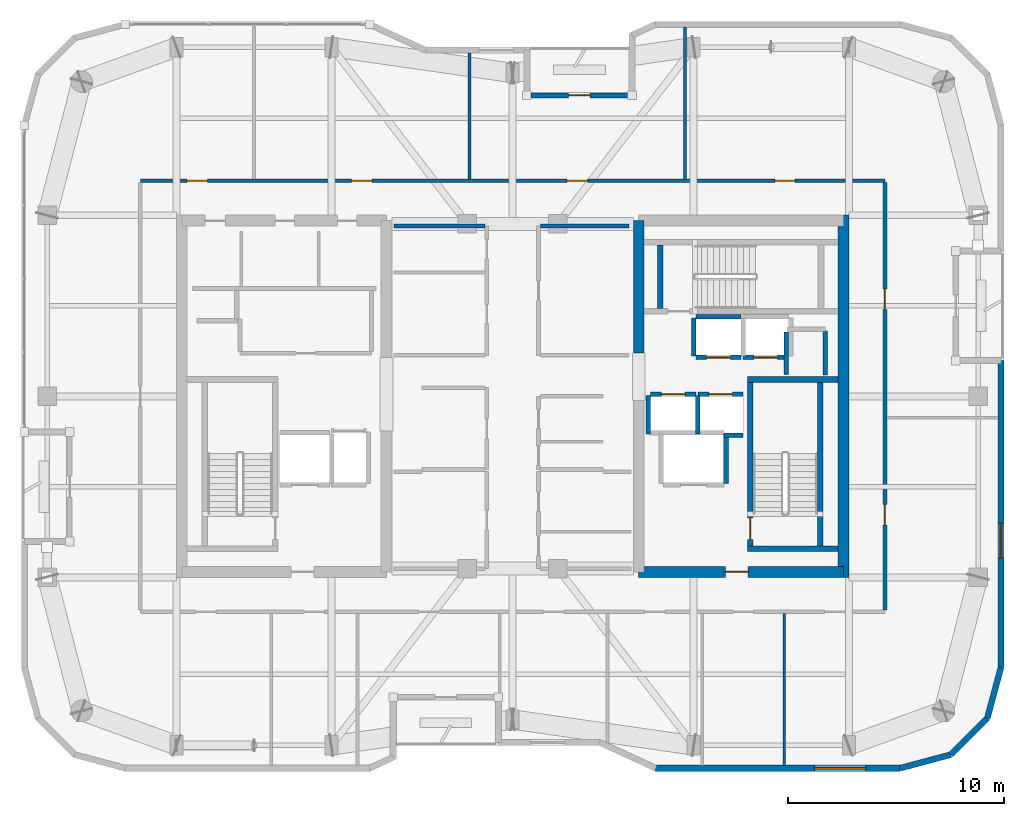
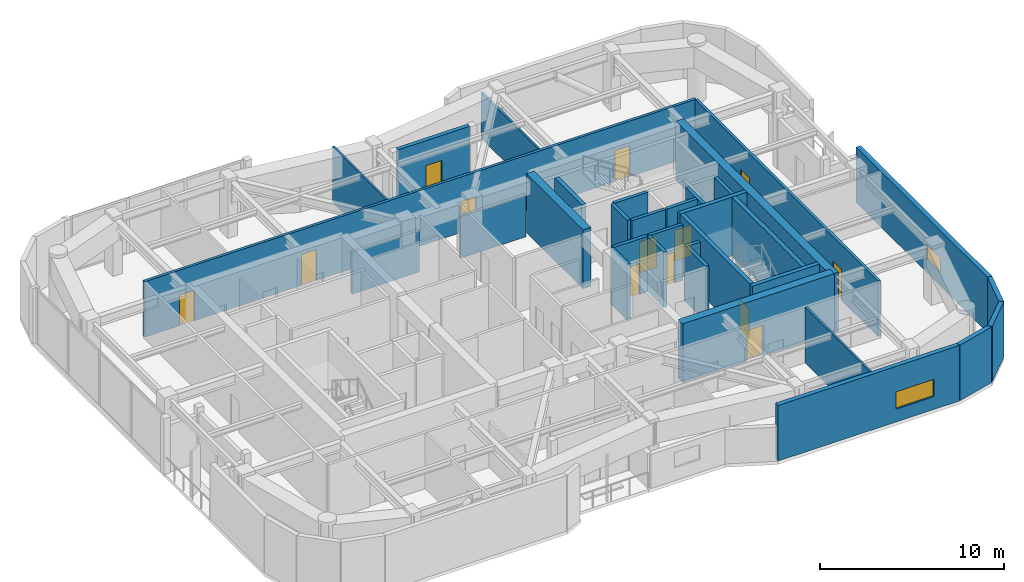
# One storey, part 12 of 15: 33 walls, 13 doors, 2 windows, 15 openings.
"""IFC4 building model written with IfcOpenShell, lengths in metres."""

from ifc_helpers import new_model, si_unit, direction, frame, frame_2d, origin, place, context, subcontext, project, spatial, rectangle, extrude, material, layer, layer_set, type_object, element, fill, save


model = new_model("IFC4")

# Units and contexts
model_context = context("Model", 3, precision=1e-05, world=origin(), true_north=direction((0.0, 1.0)))
body_context = subcontext(model_context, "Body", "Model", "MODEL_VIEW")
ifc_project = project(units=[si_unit("LENGTHUNIT", "METRE"), si_unit("AREAUNIT", "SQUARE_METRE"), si_unit("VOLUMEUNIT", "CUBIC_METRE"), si_unit("PLANEANGLEUNIT", "RADIAN"), si_unit("MASSUNIT", "GRAM", prefix="KILO")], contexts=[model_context])

# Site, building, storey
site_placement = place(None, origin())
site = spatial("IfcSite", under=ifc_project, at=site_placement, CompositionType="ELEMENT")
building_placement = place(site_placement, origin())
building = spatial("IfcBuilding", under=site, at=building_placement, Name="Kiyonajd Concourse Tower", CompositionType="ELEMENT")
storey_placement = place(building_placement, frame((0.0, 0.0, 321.89990234375)))
storey = spatial("IfcBuildingStorey", under=building, at=storey_placement, Name="L81", CompositionType="ELEMENT", Elevation=321.89990234375)

# Walls
ifc_material_1 = material(Name="Concrete C60/75", Category="concrete")
ifc_layer_1 = layer(ifc_material_1, 0.5)
ifc_layer_set_1 = layer_set([ifc_layer_1], Name="Concrete C60/75")
wall_type_1 = type_object("IfcWallType", Name="WL-CORE-500", PredefinedType="SHEAR", material=ifc_layer_set_1)
wall_1_placement = place(storey_placement, frame((53.85009765625, 38.0, 0.0), z_axis=(0.0, 0.0, 1.0), x_axis=(0.0, 1.0, 0.0)))
element("IfcWall", 1, at=wall_1_placement, inside=storey, type_object=wall_type_1, Name="L81 East Core Inner North Shear Wall", PredefinedType="SHEAR", context=body_context, shape_type="SweptSolid", body=[
    extrude(rectangle(XDim=6.14990234375, YDim=0.5, at=frame_2d((3.074951171875, 0.0))), origin(), (0.0, 0.0, 1.0), 3.900146484375),
])
wall_2_placement = place(storey_placement, frame((63.35009765625, 27.60009765625, 0.0), z_axis=(0.0, 0.0, 1.0), x_axis=(0.0, 1.0, 0.0)))
element("IfcWall", 2, at=wall_2_placement, inside=storey, type_object=wall_type_1, Name="L81 East Core Outer Shear Wall", PredefinedType="SHEAR", context=body_context, shape_type="SweptSolid", body=[
    extrude(rectangle(XDim=16.7998046875, YDim=0.5, at=frame_2d((8.39990234375, 0.0))), origin(), (0.0, 0.0, 1.0), 3.900146484375),
])

# Wall, opening, door
wall_3_placement = place(storey_placement, frame((53.85009765625, 27.85009765625, 0.0), z_axis=(0.0, 0.0, 1.0), x_axis=(1.0, 0.0, 0.0)))
wall_3 = element("IfcWall", 3, at=wall_3_placement, inside=storey, type_object=wall_type_1, Name="L81 East Core South Shear Wall", PredefinedType="SHEAR", context=body_context, shape_type="SweptSolid", body=[
    extrude(rectangle(XDim=9.5, YDim=0.5, at=frame_2d((4.75, 0.0))), origin(), (0.0, 0.0, 1.0), 3.900146484375),
])
opening_1_placement = place(wall_3_placement, frame((4.02490234375, 0.0, 0.0)))
opening_1 = element("IfcOpeningElement", 4, at=opening_1_placement, cuts=wall_3, Name="Opening DF5", PredefinedType="OPENING", context=body_context, shape_type="SweptSolid", body=[
    extrude(rectangle(XDim=1.050048828125, YDim=2.0400390625, at=frame_2d((0.52490234375, 1.02001953125))), frame((0.0, 0.260009765625, 0.0), z_axis=(0.0, -1.0, 0.0), x_axis=(1.0, 0.0, 0.0)), (0.0, 0.0, 1.0), 0.52001953125),
])
ifc_material_2 = material(Name="Brushed Stainless Steel Cab Assembly", Category="steel")
door_type_1 = type_object("IfcDoorType", Name="DR-FD45-1050", OperationType="NOTDEFINED", PredefinedType="DOOR", material=ifc_material_2)
door_1_placement = place(opening_1_placement, origin())
door_1 = element("IfcDoor", 5, at=door_1_placement, inside=storey, type_object=door_type_1, Name="L81 Firefighting Lift Lobby E Smoke Door", OperationType="SINGLE_SWING_RIGHT", OverallHeight=2.0400390625, OverallWidth=1.050048828125, PredefinedType="DOOR", context=body_context, shape_type="SweptSolid", body=[
    extrude(rectangle(XDim=1.050048828125, YDim=2.0400390625, at=frame_2d((0.52490234375, 1.02001953125))), frame((0.0, 0.02490234375, 0.0), z_axis=(0.0, -1.0, 0.0), x_axis=(1.0, 0.0, 0.0)), (0.0, 0.0, 1.0), 0.050048828125),
])
fill(opening_1, door_1)

# Wall, opening, window
ifc_material_3 = material(Name="Precast concrete C50/60", Category="concrete")
ifc_layer_2 = layer(ifc_material_3, 0.280029296875)
ifc_layer_set_2 = layer_set([ifc_layer_2], Name="Precast concrete C50/60")
wall_type_2 = type_object("IfcWallType", Name="WL-EXT-280", PredefinedType="SOLIDWALL", material=ifc_layer_set_2)
wall_4_placement = place(storey_placement, frame((70.659912109375, 37.659912109375, 0.0), z_axis=(0.0, 0.0, 1.0), x_axis=(0.0, -1.0, 0.0)))
wall_4 = element("IfcWall", 6, at=wall_4_placement, inside=storey, type_object=wall_type_2, Name="L81 Exterior Concrete Frame Wall 24", PredefinedType="SOLIDWALL", context=body_context, shape_type="SweptSolid", body=[
    extrude(rectangle(XDim=14.241455078125, YDim=0.280029296875, at=frame_2d((7.12060546875, 0.0))), origin(), (0.0, 0.0, 1.0), 3.68017578125),
])
opening_2_placement = place(wall_4_placement, frame((7.555908203125, 0.0, 0.85009765625)))
opening_2 = element("IfcOpeningElement", 7, at=opening_2_placement, cuts=wall_4, Name="Opening WN6", PredefinedType="OPENING", context=body_context, shape_type="SweptSolid", body=[
    extrude(rectangle(XDim=1.60009765625, YDim=1.0, at=frame_2d((0.800048828125, 0.5))), frame((0.0, 0.14990234375, 0.0), z_axis=(0.0, -1.0, 0.0), x_axis=(1.0, 0.0, 0.0)), (0.0, 0.0, 1.0), 0.300048828125),
])
ifc_material_4 = material(Name="Double Low-E Insulated Glass", Category="glass")
window_type_1 = type_object("IfcWindowType", Name="WN-VIS-1600x1000", PartitioningType="SINGLE_PANEL", PredefinedType="WINDOW", material=ifc_material_4)
window_1_placement = place(opening_2_placement, origin())
window_1 = element("IfcWindow", 8, at=window_1_placement, inside=storey, type_object=window_type_1, Name="L81 Modular Facade Vision Window 24", OverallHeight=1.0, OverallWidth=1.60009765625, PartitioningType="SINGLE_PANEL", PredefinedType="WINDOW", context=body_context, shape_type="SweptSolid", body=[
    extrude(rectangle(XDim=1.60009765625, YDim=1.0, at=frame_2d((0.800048828125, 0.5))), frame((0.0, 0.030029296875, 0.0), z_axis=(0.0, -1.0, 0.0), x_axis=(1.0, 0.0, 0.0)), (0.0, 0.0, 1.0), 0.06005859375),
])
fill(opening_2, window_1)

# Walls
wall_5_placement = place(storey_placement, frame((70.659912109375, 23.41845703125, 0.0), z_axis=(0.0, 0.0, 1.0), x_axis=(-0.258751159445, -0.965944013639, 0.0)))
element("IfcWall", 9, at=wall_5_placement, inside=storey, type_object=wall_type_2, Name="L81 Exterior Concrete Frame Wall 25", PredefinedType="SOLIDWALL", context=body_context, shape_type="SweptSolid", body=[
    extrude(rectangle(XDim=2.4287109375, YDim=0.280029296875, at=frame_2d((1.21435546875, 0.0))), origin(), (0.0, 0.0, 1.0), 3.68017578125),
])
wall_6_placement = place(storey_placement, frame((70.031494140625, 21.072509765625, 0.0), z_axis=(0.0, 0.0, 1.0), x_axis=(-0.707106781187, -0.707106781187, 0.0)))
element("IfcWall", 10, at=wall_6_placement, inside=storey, type_object=wall_type_2, Name="L81 Exterior Concrete Frame Wall 26", PredefinedType="SOLIDWALL", context=body_context, shape_type="SweptSolid", body=[
    extrude(rectangle(XDim=2.409912109375, YDim=0.280029296875, at=frame_2d((1.205078125, 0.0))), origin(), (0.0, 0.0, 1.0), 3.68017578125),
])
wall_7_placement = place(storey_placement, frame((68.327392578125, 19.368408203125, 0.0), z_axis=(0.0, 0.0, 1.0), x_axis=(-0.965937282298, -0.25877628691, 0.0)))
element("IfcWall", 11, at=wall_7_placement, inside=storey, type_object=wall_type_2, Name="L81 Exterior Concrete Frame Wall 27", PredefinedType="SOLIDWALL", context=body_context, shape_type="SweptSolid", body=[
    extrude(rectangle(XDim=2.428466796875, YDim=0.280029296875, at=frame_2d((1.21435546875, 0.0))), origin(), (0.0, 0.0, 1.0), 3.68017578125),
])

# Wall, opening, window
wall_8_placement = place(storey_placement, frame((65.981689453125, 18.739990234375, 0.0), z_axis=(0.0, 0.0, 1.0), x_axis=(-1.0, 0.0, 0.0)))
wall_8 = element("IfcWall", 12, at=wall_8_placement, inside=storey, type_object=wall_type_2, Name="L81 Exterior Concrete Frame Wall 28", PredefinedType="SOLIDWALL", context=body_context, shape_type="SweptSolid", body=[
    extrude(rectangle(XDim=11.35107421875, YDim=0.280029296875, at=frame_2d((5.675537109375, 0.0))), origin(), (0.0, 0.0, 1.0), 3.68017578125),
])
opening_3_placement = place(wall_8_placement, frame((1.5859375, 0.0, 0.85009765625)))
opening_3 = element("IfcOpeningElement", 13, at=opening_3_placement, cuts=wall_8, Name="Opening WN4", PredefinedType="OPENING", context=body_context, shape_type="SweptSolid", body=[
    extrude(rectangle(XDim=2.39990234375, YDim=1.14990234375, at=frame_2d((1.199951171875, 0.574951171875))), frame((0.0, 0.14990234375, 0.0), z_axis=(0.0, -1.0, 0.0), x_axis=(1.0, 0.0, 0.0)), (0.0, 0.0, 1.0), 0.300048828125),
])
window_type_2 = type_object("IfcWindowType", Name="WN-VIS-2400x1150", PartitioningType="SINGLE_PANEL", PredefinedType="WINDOW", material=ifc_material_4)
window_2_placement = place(opening_3_placement, origin())
window_2 = element("IfcWindow", 14, at=window_2_placement, inside=storey, type_object=window_type_2, Name="L81 Modular Facade Vision Window 28", OverallHeight=1.14990234375, OverallWidth=2.39990234375, PartitioningType="SINGLE_PANEL", PredefinedType="WINDOW", context=body_context, shape_type="SweptSolid", body=[
    extrude(rectangle(XDim=2.39990234375, YDim=1.14990234375, at=frame_2d((1.199951171875, 0.574951171875))), frame((0.0, 0.030029296875, 0.0), z_axis=(0.0, -1.0, 0.0), x_axis=(1.0, 0.0, 0.0)), (0.0, 0.0, 1.0), 0.06005859375),
])
fill(opening_3, window_2)

# Wall, opening, door
ifc_layer_3 = layer(ifc_material_3, 0.239990234375)
ifc_layer_set_3 = layer_set([ifc_layer_3], Name="Precast concrete C50/60")
wall_type_3 = type_object("IfcWallType", Name="WL-LOG-240", PredefinedType="SOLIDWALL", material=ifc_layer_set_3)
wall_9_placement = place(storey_placement, frame((48.85498046875, 49.9599609375, 0.0), z_axis=(0.0, 0.0, 1.0), x_axis=(1.0, 0.0, 0.0)))
wall_9 = element("IfcWall", 15, at=wall_9_placement, inside=storey, type_object=wall_type_3, Name="L81 Recessed Loggia Thermal Wall LOG-N", PredefinedType="SOLIDWALL", context=body_context, shape_type="SweptSolid", body=[
    extrude(rectangle(XDim=4.489990234375, YDim=0.239990234375, at=frame_2d((2.2451171875, 0.0))), origin(), (0.0, 0.0, 1.0), 3.68017578125),
])
opening_4_placement = place(wall_9_placement, frame((1.7451171875, 0.0, 0.0)))
opening_4 = element("IfcOpeningElement", 16, at=opening_4_placement, cuts=wall_9, Name="Opening DL1", PredefinedType="OPENING", context=body_context, shape_type="SweptSolid", body=[
    extrude(rectangle(XDim=1.0, YDim=2.02001953125, at=frame_2d((0.5, 1.010009765625))), frame((0.0, 0.1298828125, 0.0), z_axis=(0.0, -1.0, 0.0), x_axis=(1.0, 0.0, 0.0)), (0.0, 0.0, 1.0), 0.260009765625),
])
ifc_material_5 = material(Name="Thermally Broken Anodised Aluminium", Category="aluminium")
door_type_2 = type_object("IfcDoorType", Name="DR-LOG-1000", OperationType="NOTDEFINED", PredefinedType="DOOR", material=ifc_material_5)
door_2_placement = place(opening_4_placement, origin())
door_2 = element("IfcDoor", 17, at=door_2_placement, inside=storey, type_object=door_type_2, Name="L81 Engawa Loggia Access Door LOG-N", OperationType="SINGLE_SWING_RIGHT", OverallHeight=2.02001953125, OverallWidth=1.0, PredefinedType="DOOR", context=body_context, shape_type="SweptSolid", body=[
    extrude(rectangle(XDim=1.0, YDim=2.02001953125, at=frame_2d((0.5, 1.010009765625))), frame((0.0, 0.02490234375, 0.0), z_axis=(0.0, -1.0, 0.0), x_axis=(1.0, 0.0, 0.0)), (0.0, 0.0, 1.0), 0.050048828125),
])
fill(opening_4, door_2)

# Walls
ifc_material_6 = material(Name="Gypsum Board on Cold-Formed Steel Stud", Category="steel")
ifc_layer_4 = layer(ifc_material_6, 0.125)
ifc_layer_set_4 = layer_set([ifc_layer_4], Name="Gypsum Board on Cold-Formed Steel Stud")
wall_type_4 = type_object("IfcWallType", Name="WL-PART-125", PredefinedType="PARTITIONING", material=ifc_layer_set_4)
wall_10_placement = place(storey_placement, frame((60.60009765625, 18.875, 0.0), z_axis=(0.0, 0.0, 1.0), x_axis=(0.0, 1.0, 0.0)))
element("IfcWall", 18, at=wall_10_placement, inside=storey, type_object=wall_type_4, Name="L81 Interior Partition Wall", PredefinedType="PARTITIONING", context=body_context, shape_type="SweptSolid", body=[
    extrude(rectangle(XDim=7.0380859375, YDim=0.125, at=frame_2d((3.51904296875, 0.0))), origin(), (0.0, 0.0, 1.0), 3.68017578125),
])
wall_11_placement = place(storey_placement, frame((46.0, 46.0869140625, 0.0), z_axis=(0.0, 0.0, 1.0), x_axis=(0.0, 1.0, 0.0)))
element("IfcWall", 19, at=wall_11_placement, inside=storey, type_object=wall_type_4, Name="L81 Interior Partition Wall", PredefinedType="PARTITIONING", context=body_context, shape_type="SweptSolid", body=[
    extrude(rectangle(XDim=5.838134765625, YDim=0.125, at=frame_2d((2.9189453125, 0.0))), origin(), (0.0, 0.0, 1.0), 3.68017578125),
])
wall_12_placement = place(storey_placement, frame((56.0, 46.0869140625, 0.0), z_axis=(0.0, 0.0, 1.0), x_axis=(0.0, 1.0, 0.0)))
element("IfcWall", 20, at=wall_12_placement, inside=storey, type_object=wall_type_4, Name="L81 Interior Partition Wall", PredefinedType="PARTITIONING", context=body_context, shape_type="SweptSolid", body=[
    extrude(rectangle(XDim=7.0380859375, YDim=0.125, at=frame_2d((3.51904296875, 0.0))), origin(), (0.0, 0.0, 1.0), 3.043212890625),
])
ifc_layer_5 = layer(ifc_material_6, 0.2099609375)
ifc_layer_set_5 = layer_set([ifc_layer_5], Name="Gypsum Board on Cold-Formed Steel Stud")
wall_type_5 = type_object("IfcWallType", Name="WL-SHAFT-210", PredefinedType="PARTITIONING", material=ifc_layer_set_5)
wall_13_placement = place(storey_placement, frame((60.699951171875, 37.02001953125, 0.0), z_axis=(0.0, 0.0, 1.0), x_axis=(0.0, 1.0, 0.0)))
element("IfcWall", 21, at=wall_13_placement, inside=storey, type_object=wall_type_5, Name="L81 Shaft Enclosure Wall", PredefinedType="PARTITIONING", context=body_context, shape_type="SweptSolid", body=[
    extrude(rectangle(XDim=1.9599609375, YDim=0.2099609375, at=frame_2d((0.97998046875, 0.0))), origin(), (0.0, 0.0, 1.0), 3.68017578125),
])
wall_14_placement = place(storey_placement, frame((62.5, 36.97998046875, 0.0), z_axis=(0.0, 0.0, 1.0), x_axis=(0.0, 1.0, 0.0)))
element("IfcWall", 22, at=wall_14_placement, inside=storey, type_object=wall_type_5, Name="L81 Shaft Enclosure Wall", PredefinedType="PARTITIONING", context=body_context, shape_type="SweptSolid", body=[
    extrude(rectangle(XDim=2.0400390625, YDim=0.2099609375, at=frame_2d((1.02001953125, 0.0))), origin(), (0.0, 0.0, 1.0), 3.68017578125),
])
wall_15_placement = place(storey_placement, frame((57.89990234375, 31.9599609375, 0.0), z_axis=(0.0, 0.0, 1.0), x_axis=(0.0, 1.0, 0.0)))
element("IfcWall", 23, at=wall_15_placement, inside=storey, type_object=wall_type_5, Name="L81 Shaft Enclosure Wall", PredefinedType="PARTITIONING", context=body_context, shape_type="SweptSolid", body=[
    extrude(rectangle(XDim=2.280029296875, YDim=0.2099609375, at=frame_2d((1.14013671875, 0.0))), origin(), (0.0, 0.0, 1.0), 3.68017578125),
])

# Wall, opening, door
wall_16_placement = place(storey_placement, frame((54.39990234375, 36.10009765625, 0.0), z_axis=(0.0, 0.0, 1.0), x_axis=(1.0, 0.0, 0.0)))
wall_16 = element("IfcWall", 24, at=wall_16_placement, inside=storey, type_object=wall_type_5, Name="L81 Shaft Enclosure Wall", PredefinedType="PARTITIONING", context=body_context, shape_type="SweptSolid", body=[
    extrude(rectangle(XDim=2.10009765625, YDim=0.2099609375, at=frame_2d((1.050048828125, 0.0))), origin(), (0.0, 0.0, 1.0), 3.68017578125),
])
opening_5_placement = place(wall_16_placement, frame((0.5, 0.0, 0.0)))
opening_5 = element("IfcOpeningElement", 25, at=opening_5_placement, cuts=wall_16, Name="Opening LD1", PredefinedType="OPENING", context=body_context, shape_type="SweptSolid", body=[
    extrude(rectangle(XDim=1.10009765625, YDim=2.0400390625, at=frame_2d((0.550048828125, 1.02001953125))), frame((0.0, 0.114990234375, 0.0), z_axis=(0.0, -1.0, 0.0), x_axis=(1.0, 0.0, 0.0)), (0.0, 0.0, 1.0), 0.22998046875),
])
door_type_3 = type_object("IfcDoorType", Name="DR-LD-1100", OperationType="DOUBLE_DOOR_SLIDING", PredefinedType="DOOR", material=ifc_material_2)
door_3_placement = place(opening_5_placement, origin())
door_3 = element("IfcDoor", 26, at=door_3_placement, inside=storey, type_object=door_type_3, Name="L81 Lift PL-H1 Sliding Landing Door", OperationType="DOUBLE_DOOR_SLIDING", OverallHeight=2.0400390625, OverallWidth=1.10009765625, PredefinedType="DOOR", context=body_context, shape_type="SweptSolid", body=[
    extrude(rectangle(XDim=1.10009765625, YDim=2.0400390625, at=frame_2d((0.550048828125, 1.02001953125))), frame((0.0, 0.02490234375, 0.0), z_axis=(0.0, -1.0, 0.0), x_axis=(1.0, 0.0, 0.0)), (0.0, 0.0, 1.0), 0.050048828125),
])
fill(opening_5, door_3)

# Walls
for number, where, z_axis, x_axis, name in (
    (27, (54.300048828125, 34.260009765625, 0.0), (0.0, 0.0, 1.0), (0.0, 1.0, 0.0), "L81 Shaft Enclosure Wall"),
    (28, (56.60009765625, 34.260009765625, 0.0), (0.0, 0.0, 1.0), (0.0, 1.0, 0.0), "L81 Shaft Enclosure Wall"),
):
    element("IfcWall", number, at=place(storey_placement, frame(where, z_axis=z_axis, x_axis=x_axis)), inside=storey, type_object=wall_type_5, Name=name, PredefinedType="PARTITIONING", context=body_context, shape_type="SweptSolid", body=[
        extrude(rectangle(XDim=1.780029296875, YDim=0.2099609375, at=frame_2d((0.89013671875, 0.0))), origin(), (0.0, 0.0, 1.0), 3.68017578125),
    ])

# Wall, opening, door
wall_17_placement = place(storey_placement, frame((56.60009765625, 36.10009765625, 0.0), z_axis=(0.0, 0.0, 1.0), x_axis=(1.0, 0.0, 0.0)))
wall_17 = element("IfcWall", 29, at=wall_17_placement, inside=storey, type_object=wall_type_5, Name="L81 Shaft Enclosure Wall", PredefinedType="PARTITIONING", context=body_context, shape_type="SweptSolid", body=[
    extrude(rectangle(XDim=2.099853515625, YDim=0.2099609375, at=frame_2d((1.0498046875, 0.0))), origin(), (0.0, 0.0, 1.0), 3.68017578125),
])
opening_6_placement = place(wall_17_placement, frame((0.5, 0.0, 0.0)))
opening_6 = element("IfcOpeningElement", 30, at=opening_6_placement, cuts=wall_17, Name="Opening LD1", PredefinedType="OPENING", context=body_context, shape_type="SweptSolid", body=[
    extrude(rectangle(XDim=1.10009765625, YDim=2.0400390625, at=frame_2d((0.550048828125, 1.02001953125))), frame((0.0, 0.114990234375, 0.0), z_axis=(0.0, -1.0, 0.0), x_axis=(1.0, 0.0, 0.0)), (0.0, 0.0, 1.0), 0.22998046875),
])
door_4_placement = place(opening_6_placement, origin())
door_4 = element("IfcDoor", 31, at=door_4_placement, inside=storey, type_object=door_type_3, Name="L81 Lift PL-H2 Sliding Landing Door", OperationType="DOUBLE_DOOR_SLIDING", OverallHeight=2.0400390625, OverallWidth=1.10009765625, PredefinedType="DOOR", context=body_context, shape_type="SweptSolid", body=[
    extrude(rectangle(XDim=1.10009765625, YDim=2.0400390625, at=frame_2d((0.550048828125, 1.02001953125))), frame((0.0, 0.02490234375, 0.0), z_axis=(0.0, -1.0, 0.0), x_axis=(1.0, 0.0, 0.0)), (0.0, 0.0, 1.0), 0.050048828125),
])
fill(opening_6, door_4)

# Wall
wall_18_placement = place(storey_placement, frame((57.800048828125, 34.199951171875, 0.0), z_axis=(0.0, 0.0, 1.0), x_axis=(1.0, 0.0, 0.0)))
element("IfcWall", 32, at=wall_18_placement, inside=storey, type_object=wall_type_5, Name="L81 Shaft Enclosure Wall", PredefinedType="PARTITIONING", context=body_context, shape_type="SweptSolid", body=[
    extrude(rectangle(XDim=0.89990234375, YDim=0.2099609375, at=frame_2d((0.449951171875, 0.0))), origin(), (0.0, 0.0, 1.0), 3.68017578125),
])

# Wall, opening, door
wall_19_placement = place(storey_placement, frame((56.5, 37.800048828125, 0.0), z_axis=(0.0, 0.0, 1.0), x_axis=(1.0, 0.0, 0.0)))
wall_19 = element("IfcWall", 33, at=wall_19_placement, inside=storey, type_object=wall_type_5, Name="L81 Shaft Enclosure Wall", PredefinedType="PARTITIONING", context=body_context, shape_type="SweptSolid", body=[
    extrude(rectangle(XDim=2.10009765625, YDim=0.2099609375, at=frame_2d((1.050048828125, 0.0))), origin(), (0.0, 0.0, 1.0), 3.68017578125),
])
opening_7_placement = place(wall_19_placement, frame((0.5, 0.0, 0.0)))
opening_7 = element("IfcOpeningElement", 34, at=opening_7_placement, cuts=wall_19, Name="Opening LD1", PredefinedType="OPENING", context=body_context, shape_type="SweptSolid", body=[
    extrude(rectangle(XDim=1.10009765625, YDim=2.0400390625, at=frame_2d((0.550048828125, 1.02001953125))), frame((0.0, 0.114990234375, 0.0), z_axis=(0.0, -1.0, 0.0), x_axis=(1.0, 0.0, 0.0)), (0.0, 0.0, 1.0), 0.22998046875),
])
door_5_placement = place(opening_7_placement, origin())
door_5 = element("IfcDoor", 35, at=door_5_placement, inside=storey, type_object=door_type_3, Name="L81 Lift PL-H3 Sliding Landing Door", OperationType="DOUBLE_DOOR_SLIDING", OverallHeight=2.0400390625, OverallWidth=1.10009765625, PredefinedType="DOOR", context=body_context, shape_type="SweptSolid", body=[
    extrude(rectangle(XDim=1.10009765625, YDim=2.0400390625, at=frame_2d((0.550048828125, 1.02001953125))), frame((0.0, 0.02490234375, 0.0), z_axis=(0.0, -1.0, 0.0), x_axis=(1.0, 0.0, 0.0)), (0.0, 0.0, 1.0), 0.050048828125),
])
fill(opening_7, door_5)

# Walls
wall_20_placement = place(storey_placement, frame((56.5, 39.699951171875, 0.0), z_axis=(0.0, 0.0, 1.0), x_axis=(1.0, 0.0, 0.0)))
element("IfcWall", 36, at=wall_20_placement, inside=storey, type_object=wall_type_5, Name="L81 Shaft Enclosure Wall", PredefinedType="PARTITIONING", context=body_context, shape_type="SweptSolid", body=[
    extrude(rectangle(XDim=2.10009765625, YDim=0.2099609375, at=frame_2d((1.050048828125, 0.0))), origin(), (0.0, 0.0, 1.0), 3.68017578125),
])
wall_21_placement = place(storey_placement, frame((56.39990234375, 37.860107421875, 0.0), z_axis=(0.0, 0.0, 1.0), x_axis=(0.0, 1.0, 0.0)))
element("IfcWall", 37, at=wall_21_placement, inside=storey, type_object=wall_type_5, Name="L81 Shaft Enclosure Wall", PredefinedType="PARTITIONING", context=body_context, shape_type="SweptSolid", body=[
    extrude(rectangle(XDim=1.77978515625, YDim=0.2099609375, at=frame_2d((0.889892578125, 0.0))), origin(), (0.0, 0.0, 1.0), 3.68017578125),
])

# Wall, opening, door
wall_22_placement = place(storey_placement, frame((58.699951171875, 37.800048828125, 0.0), z_axis=(0.0, 0.0, 1.0), x_axis=(1.0, 0.0, 0.0)))
wall_22 = element("IfcWall", 38, at=wall_22_placement, inside=storey, type_object=wall_type_5, Name="L81 Shaft Enclosure Wall", PredefinedType="PARTITIONING", context=body_context, shape_type="SweptSolid", body=[
    extrude(rectangle(XDim=2.10009765625, YDim=0.2099609375, at=frame_2d((1.050048828125, 0.0))), origin(), (0.0, 0.0, 1.0), 3.68017578125),
])
opening_8_placement = place(wall_22_placement, frame((0.5, 0.0, 0.0)))
opening_8 = element("IfcOpeningElement", 39, at=opening_8_placement, cuts=wall_22, Name="Opening LD1", PredefinedType="OPENING", context=body_context, shape_type="SweptSolid", body=[
    extrude(rectangle(XDim=1.10009765625, YDim=2.0400390625, at=frame_2d((0.550048828125, 1.02001953125))), frame((0.0, 0.114990234375, 0.0), z_axis=(0.0, -1.0, 0.0), x_axis=(1.0, 0.0, 0.0)), (0.0, 0.0, 1.0), 0.22998046875),
])
door_6_placement = place(opening_8_placement, origin())
door_6 = element("IfcDoor", 40, at=door_6_placement, inside=storey, type_object=door_type_3, Name="L81 Lift PL-H4 Sliding Landing Door", OperationType="DOUBLE_DOOR_SLIDING", OverallHeight=2.0400390625, OverallWidth=1.10009765625, PredefinedType="DOOR", context=body_context, shape_type="SweptSolid", body=[
    extrude(rectangle(XDim=1.10009765625, YDim=2.0400390625, at=frame_2d((0.550048828125, 1.02001953125))), frame((0.0, 0.02490234375, 0.0), z_axis=(0.0, -1.0, 0.0), x_axis=(1.0, 0.0, 0.0)), (0.0, 0.0, 1.0), 0.050048828125),
])
fill(opening_8, door_6)

# Walls
ifc_layer_6 = layer(ifc_material_6, 0.169921875)
ifc_layer_set_6 = layer_set([ifc_layer_6], Name="Gypsum Board on Cold-Formed Steel Stud")
wall_type_6 = type_object("IfcWallType", Name="WL-SMK-170", PredefinedType="PARTITIONING", material=ifc_layer_set_6)
wall_23_placement = place(storey_placement, frame((42.5, 43.89990234375, 0.0), z_axis=(0.0, 0.0, 1.0), x_axis=(1.0, 0.0, 0.0)))
element("IfcWall", 41, at=wall_23_placement, inside=storey, type_object=wall_type_6, Name="L81 Interior Partition Wall", PredefinedType="PARTITIONING", context=body_context, shape_type="SweptSolid", body=[
    extrude(rectangle(XDim=4.212890625, YDim=0.169921875, at=frame_2d((2.1064453125, 0.0))), origin(), (0.0, 0.0, 1.0), 2.76513671875),
])
wall_24_placement = place(storey_placement, frame((49.287109375, 43.89990234375, 0.0), z_axis=(0.0, 0.0, 1.0), x_axis=(1.0, 0.0, 0.0)))
element("IfcWall", 42, at=wall_24_placement, inside=storey, type_object=wall_type_6, Name="L81 Interior Partition Wall", PredefinedType="PARTITIONING", context=body_context, shape_type="SweptSolid", body=[
    extrude(rectangle(XDim=4.11279296875, YDim=0.169921875, at=frame_2d((2.056396484375, 0.0))), origin(), (0.0, 0.0, 1.0), 2.76513671875),
])

# Wall, openings, doors
wall_25_placement = place(storey_placement, frame((30.72509765625, 46.0, 0.0), z_axis=(0.0, 0.0, 1.0), x_axis=(1.0, 0.0, 0.0)))
wall_25 = element("IfcWall", 43, at=wall_25_placement, inside=storey, type_object=wall_type_6, Name="L81 Interior Partition Wall", PredefinedType="PARTITIONING", context=body_context, shape_type="SweptSolid", body=[
    extrude(rectangle(XDim=34.5498046875, YDim=0.169921875, at=frame_2d((17.27490234375, 0.0))), origin(), (0.0, 0.0, 1.0), 3.68017578125),
])
opening_9_placement = place(wall_25_placement, frame((2.162109375, 0.0, 0.0)))
opening_9 = element("IfcOpeningElement", 44, at=opening_9_placement, cuts=wall_25, Name="Opening DI1", PredefinedType="OPENING", context=body_context, shape_type="SweptSolid", body=[
    extrude(rectangle(XDim=0.949951171875, YDim=2.0400390625, at=frame_2d((0.47509765625, 1.02001953125))), frame((0.0, 0.094970703125, 0.0), z_axis=(0.0, -1.0, 0.0), x_axis=(1.0, 0.0, 0.0)), (0.0, 0.0, 1.0), 0.18994140625),
])
opening_10_placement = place(wall_25_placement, frame((9.800048828125, 0.0, 0.0)))
opening_10 = element("IfcOpeningElement", 45, at=opening_10_placement, cuts=wall_25, Name="Opening DI1", PredefinedType="OPENING", context=body_context, shape_type="SweptSolid", body=[
    extrude(rectangle(XDim=0.949951171875, YDim=2.0400390625, at=frame_2d((0.47509765625, 1.02001953125))), frame((0.0, 0.094970703125, 0.0), z_axis=(0.0, -1.0, 0.0), x_axis=(1.0, 0.0, 0.0)), (0.0, 0.0, 1.0), 0.18994140625),
])
opening_11_placement = place(wall_25_placement, frame((19.800048828125, 0.0, 0.0)))
opening_11 = element("IfcOpeningElement", 46, at=opening_11_placement, cuts=wall_25, Name="Opening DI1", PredefinedType="OPENING", context=body_context, shape_type="SweptSolid", body=[
    extrude(rectangle(XDim=0.949951171875, YDim=2.0400390625, at=frame_2d((0.47509765625, 1.02001953125))), frame((0.0, 0.094970703125, 0.0), z_axis=(0.0, -1.0, 0.0), x_axis=(1.0, 0.0, 0.0)), (0.0, 0.0, 1.0), 0.18994140625),
])
opening_12_placement = place(wall_25_placement, frame((29.43798828125, 0.0, 0.0)))
opening_12 = element("IfcOpeningElement", 47, at=opening_12_placement, cuts=wall_25, Name="Opening DI1", PredefinedType="OPENING", context=body_context, shape_type="SweptSolid", body=[
    extrude(rectangle(XDim=0.949951171875, YDim=2.0400390625, at=frame_2d((0.47509765625, 1.02001953125))), frame((0.0, 0.094970703125, 0.0), z_axis=(0.0, -1.0, 0.0), x_axis=(1.0, 0.0, 0.0)), (0.0, 0.0, 1.0), 0.18994140625),
])
ifc_material_7 = material(Name="Natural Oak Acoustic Timber Veneer", Category="wood")
door_type_4 = type_object("IfcDoorType", Name="DR-INT-950", OperationType="NOTDEFINED", PredefinedType="DOOR", material=ifc_material_7)
door_7_placement = place(opening_9_placement, origin())
door_7 = element("IfcDoor", 48, at=door_7_placement, inside=storey, type_object=door_type_4, Name="L81 Interior Door", OperationType="SINGLE_SWING_RIGHT", OverallHeight=2.0400390625, OverallWidth=0.949951171875, PredefinedType="DOOR", context=body_context, shape_type="SweptSolid", body=[
    extrude(rectangle(XDim=0.949951171875, YDim=2.0400390625, at=frame_2d((0.47509765625, 1.02001953125))), frame((0.0, 0.02490234375, 0.0), z_axis=(0.0, -1.0, 0.0), x_axis=(1.0, 0.0, 0.0)), (0.0, 0.0, 1.0), 0.050048828125),
])
fill(opening_9, door_7)
door_8_placement = place(opening_10_placement, origin())
door_8 = element("IfcDoor", 49, at=door_8_placement, inside=storey, type_object=door_type_4, Name="L81 Interior Door", OperationType="SINGLE_SWING_LEFT", OverallHeight=2.0400390625, OverallWidth=0.949951171875, PredefinedType="DOOR", context=body_context, shape_type="SweptSolid", body=[
    extrude(rectangle(XDim=0.949951171875, YDim=2.0400390625, at=frame_2d((0.47509765625, 1.02001953125))), frame((0.0, 0.02490234375, 0.0), z_axis=(0.0, -1.0, 0.0), x_axis=(1.0, 0.0, 0.0)), (0.0, 0.0, 1.0), 0.050048828125),
])
fill(opening_10, door_8)
door_9_placement = place(opening_11_placement, origin())
door_9 = element("IfcDoor", 50, at=door_9_placement, inside=storey, type_object=door_type_4, Name="L81 Interior Door", OperationType="SINGLE_SWING_RIGHT", OverallHeight=2.0400390625, OverallWidth=0.949951171875, PredefinedType="DOOR", context=body_context, shape_type="SweptSolid", body=[
    extrude(rectangle(XDim=0.949951171875, YDim=2.0400390625, at=frame_2d((0.47509765625, 1.02001953125))), frame((0.0, 0.02490234375, 0.0), z_axis=(0.0, -1.0, 0.0), x_axis=(1.0, 0.0, 0.0)), (0.0, 0.0, 1.0), 0.050048828125),
])
fill(opening_11, door_9)
door_10_placement = place(opening_12_placement, origin())
door_10 = element("IfcDoor", 51, at=door_10_placement, inside=storey, type_object=door_type_4, Name="L81 Interior Door", OperationType="SINGLE_SWING_LEFT", OverallHeight=2.0400390625, OverallWidth=0.949951171875, PredefinedType="DOOR", context=body_context, shape_type="SweptSolid", body=[
    extrude(rectangle(XDim=0.949951171875, YDim=2.0400390625, at=frame_2d((0.47509765625, 1.02001953125))), frame((0.0, 0.02490234375, 0.0), z_axis=(0.0, -1.0, 0.0), x_axis=(1.0, 0.0, 0.0)), (0.0, 0.0, 1.0), 0.050048828125),
])
fill(opening_12, door_10)

wall_26_placement = place(storey_placement, frame((65.27490234375, 26.0869140625, 0.0), z_axis=(0.0, 0.0, 1.0), x_axis=(0.0, 1.0, 0.0)))
wall_26 = element("IfcWall", 52, at=wall_26_placement, inside=storey, type_object=wall_type_6, Name="L81 Interior Partition Wall", PredefinedType="PARTITIONING", context=body_context, shape_type="SweptSolid", body=[
    extrude(rectangle(XDim=19.826171875, YDim=0.169921875, at=frame_2d((9.9130859375, 0.0))), origin(), (0.0, 0.0, 1.0), 3.68017578125),
])
opening_13_placement = place(wall_26_placement, frame((3.93798828125, 0.0, 0.0)))
opening_13 = element("IfcOpeningElement", 53, at=opening_13_placement, cuts=wall_26, Name="Opening DI1", PredefinedType="OPENING", context=body_context, shape_type="SweptSolid", body=[
    extrude(rectangle(XDim=0.949951171875, YDim=2.0400390625, at=frame_2d((0.47509765625, 1.02001953125))), frame((0.0, 0.094970703125, 0.0), z_axis=(0.0, -1.0, 0.0), x_axis=(1.0, 0.0, 0.0)), (0.0, 0.0, 1.0), 0.18994140625),
])
opening_14_placement = place(wall_26_placement, frame((13.93798828125, 0.0, 0.0)))
opening_14 = element("IfcOpeningElement", 54, at=opening_14_placement, cuts=wall_26, Name="Opening DI1", PredefinedType="OPENING", context=body_context, shape_type="SweptSolid", body=[
    extrude(rectangle(XDim=0.949951171875, YDim=2.0400390625, at=frame_2d((0.47509765625, 1.02001953125))), frame((0.0, 0.094970703125, 0.0), z_axis=(0.0, -1.0, 0.0), x_axis=(1.0, 0.0, 0.0)), (0.0, 0.0, 1.0), 0.18994140625),
])
door_11_placement = place(opening_13_placement, origin())
door_11 = element("IfcDoor", 55, at=door_11_placement, inside=storey, type_object=door_type_4, Name="L81 Interior Door", OperationType="SINGLE_SWING_LEFT", OverallHeight=2.0400390625, OverallWidth=0.949951171875, PredefinedType="DOOR", context=body_context, shape_type="SweptSolid", body=[
    extrude(rectangle(XDim=0.949951171875, YDim=2.0400390625, at=frame_2d((0.47509765625, 1.02001953125))), frame((0.0, 0.02490234375, 0.0), z_axis=(0.0, -1.0, 0.0), x_axis=(1.0, 0.0, 0.0)), (0.0, 0.0, 1.0), 0.050048828125),
])
fill(opening_13, door_11)
door_12_placement = place(opening_14_placement, origin())
door_12 = element("IfcDoor", 56, at=door_12_placement, inside=storey, type_object=door_type_4, Name="L81 Interior Door", OperationType="SINGLE_SWING_RIGHT", OverallHeight=2.0400390625, OverallWidth=0.949951171875, PredefinedType="DOOR", context=body_context, shape_type="SweptSolid", body=[
    extrude(rectangle(XDim=0.949951171875, YDim=2.0400390625, at=frame_2d((0.47509765625, 1.02001953125))), frame((0.0, 0.02490234375, 0.0), z_axis=(0.0, -1.0, 0.0), x_axis=(1.0, 0.0, 0.0)), (0.0, 0.0, 1.0), 0.050048828125),
])
fill(opening_14, door_12)

# Walls
ifc_material_8 = material(Name="Concrete C50/60", Category="concrete")
ifc_layer_7 = layer(ifc_material_8, 0.260009765625)
ifc_layer_set_7 = layer_set([ifc_layer_7], Name="Concrete C50/60")
wall_type_7 = type_object("IfcWallType", Name="WL-STAIR-260", PredefinedType="SHEAR", material=ifc_layer_set_7)
for number, where, z_axis, x_axis, name in (
    (57, (58.889892578125, 28.919921875, 0.0), (0.0, 0.0, 1.0), (1.0, 0.0, 0.0), "L81 Stair ST2 Structural South Wall"),
    (58, (58.889892578125, 36.780029296875, 0.0), (0.0, 0.0, 1.0), (1.0, 0.0, 0.0), "L81 Stair ST2 Structural North Wall"),
):
    element("IfcWall", number, at=place(storey_placement, frame(where, z_axis=z_axis, x_axis=x_axis)), inside=storey, type_object=wall_type_7, Name=name, PredefinedType="SHEAR", context=body_context, shape_type="SweptSolid", body=[
        extrude(rectangle(XDim=4.210205078125, YDim=0.260009765625, at=frame_2d((2.10498046875, 0.0))), origin(), (0.0, 0.0, 1.0), 3.900146484375),
    ])

# Wall, opening, door
wall_27_placement = place(storey_placement, frame((59.02001953125, 29.050048828125, 0.0), z_axis=(0.0, 0.0, 1.0), x_axis=(0.0, 1.0, 0.0)))
wall_27 = element("IfcWall", 59, at=wall_27_placement, inside=storey, type_object=wall_type_7, Name="L81 Stair ST2 Structural West Wall", PredefinedType="SHEAR", context=body_context, shape_type="SweptSolid", body=[
    extrude(rectangle(XDim=7.599853515625, YDim=0.260009765625, at=frame_2d((3.7998046875, 0.0))), origin(), (0.0, 0.0, 1.0), 3.900146484375),
])
opening_15_placement = place(wall_27_placement, frame((0.300048828125, 0.0, 0.0)))
opening_15 = element("IfcOpeningElement", 60, at=opening_15_placement, cuts=wall_27, Name="Opening DF1", PredefinedType="OPENING", context=body_context, shape_type="SweptSolid", body=[
    extrude(rectangle(XDim=1.0, YDim=2.0400390625, at=frame_2d((0.5, 1.02001953125))), frame((0.0, 0.139892578125, 0.0), z_axis=(0.0, -1.0, 0.0), x_axis=(1.0, 0.0, 0.0)), (0.0, 0.0, 1.0), 0.280029296875),
])
door_type_5 = type_object("IfcDoorType", Name="DR-FD90-1000", OperationType="NOTDEFINED", PredefinedType="DOOR", material=ifc_material_2)
door_13_placement = place(opening_15_placement, origin())
door_13 = element("IfcDoor", 61, at=door_13_placement, inside=storey, type_object=door_type_5, Name="L81 Stair ST2 FSAE Door", OperationType="SINGLE_SWING_RIGHT", OverallHeight=2.0400390625, OverallWidth=1.0, PredefinedType="DOOR", context=body_context, shape_type="SweptSolid", body=[
    extrude(rectangle(XDim=1.0, YDim=2.0400390625, at=frame_2d((0.5, 1.02001953125))), frame((0.0, 0.02490234375, 0.0), z_axis=(0.0, -1.0, 0.0), x_axis=(1.0, 0.0, 0.0)), (0.0, 0.0, 1.0), 0.050048828125),
])
fill(opening_15, door_13)

# Walls
wall_28_placement = place(storey_placement, frame((62.280029296875, 29.050048828125, 0.0), z_axis=(0.0, 0.0, 1.0), x_axis=(0.0, 1.0, 0.0)))
element("IfcWall", 62, at=wall_28_placement, inside=storey, type_object=wall_type_7, Name="L81 Stair ST2 Structural East Wall", PredefinedType="SHEAR", context=body_context, shape_type="SweptSolid", body=[
    extrude(rectangle(XDim=7.599853515625, YDim=0.260009765625, at=frame_2d((3.7998046875, 0.0))), origin(), (0.0, 0.0, 1.0), 3.900146484375),
])
wall_29_placement = place(storey_placement, frame((54.85009765625, 40.080078125, 0.0), z_axis=(0.0, 0.0, 1.0), x_axis=(0.0, 1.0, 0.0)))
element("IfcWall", 63, at=wall_29_placement, inside=storey, type_object=wall_type_7, Name="L81 Stair ST3 Structural West Wall", PredefinedType="SHEAR", context=body_context, shape_type="SweptSolid", body=[
    extrude(rectangle(XDim=2.93994140625, YDim=0.260009765625, at=frame_2d((1.469970703125, 0.0))), origin(), (0.0, 0.0, 1.0), 3.900146484375),
])

save(model, "model.ifc")
